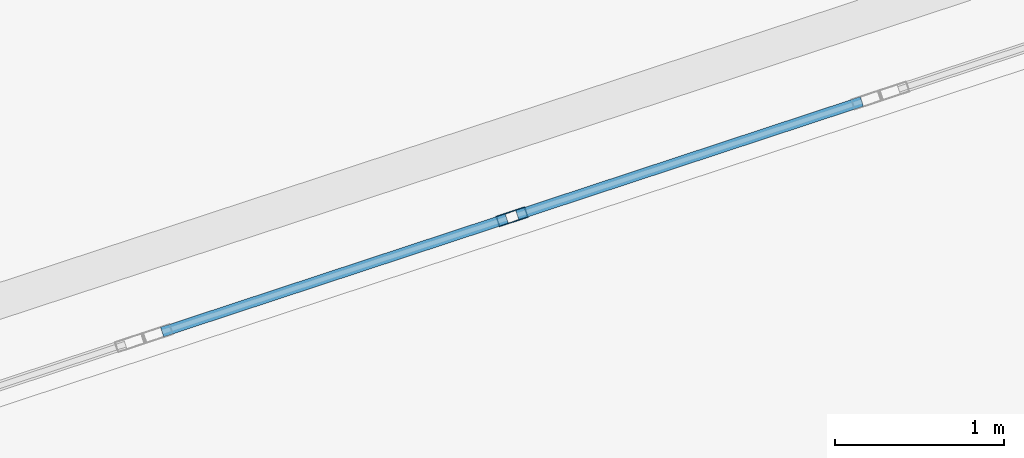
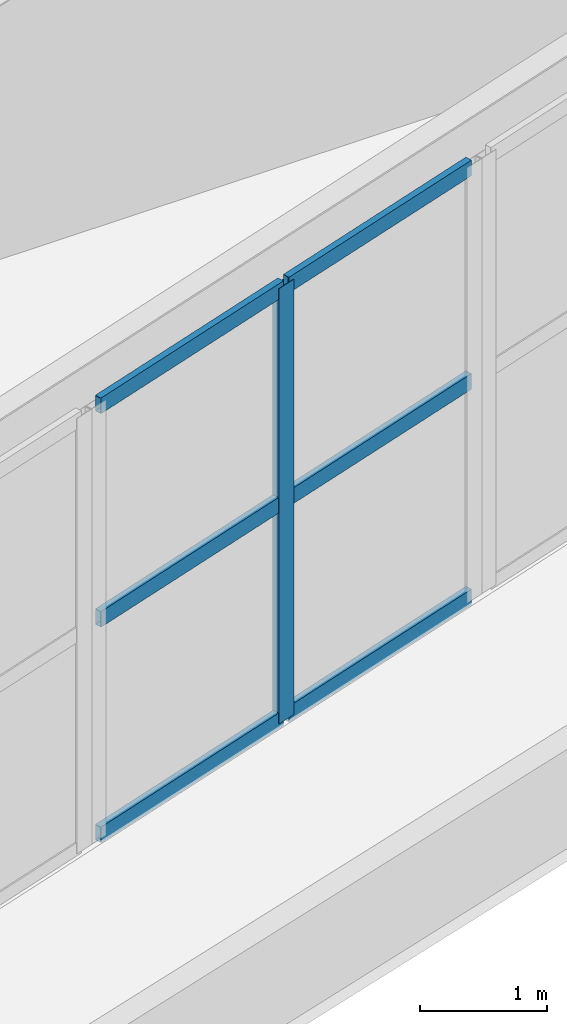
# One storey, part 42 of 126: 7 members, 1 element without a shape of its own.
"""IFC4 building model written with IfcOpenShell, lengths in metres."""

from ifc_helpers import new_model, si_unit, direction, frame, origin, origin_2d, place, context, subcontext, project, spatial, hollow_rectangle, extrude, material, layer, layer_set, material_profile, profile_set, type_object, element, aggregate, save


model = new_model("IFC4")

# Units and contexts
model_context = context("Model", 3, precision=1e-05, world=origin(), true_north=direction((0.0, 1.0)))
body_context = subcontext(model_context, "Body", "Model", "MODEL_VIEW")
ifc_project = project(units=[si_unit("LENGTHUNIT", "METRE"), si_unit("AREAUNIT", "SQUARE_METRE"), si_unit("VOLUMEUNIT", "CUBIC_METRE"), si_unit("PLANEANGLEUNIT", "RADIAN"), si_unit("MASSUNIT", "GRAM", prefix="KILO")], contexts=[model_context])

# Site, building, storey
site_placement = place(None, origin())
site = spatial("IfcSite", under=ifc_project, at=site_placement, CompositionType="ELEMENT")
building_placement = place(site_placement, origin())
building = spatial("IfcBuilding", under=site, at=building_placement, Name="Kalgoora Escarpment Arena", CompositionType="ELEMENT")
storey_placement = place(building_placement, frame((0.0, 0.0, 18.89990234375)))
storey = spatial("IfcBuildingStorey", under=building, at=storey_placement, Name="L04", CompositionType="ELEMENT", Elevation=18.89990234375)

# Curtain wall, members
ifc_material_1 = material(Name=" Champagne anodised aluminium & double-glazed low-E", Category="aluminium")
ifc_layer = layer(ifc_material_1, 0.166015625)
ifc_layer_set = layer_set([ifc_layer], Name="CW-UNIT-09")
curtain_wall_type = type_object("IfcCurtainWallType", Name="CW-UNIT-09", PredefinedType="NOTDEFINED", material=ifc_layer_set)
curtain_wall_placement = place(storey_placement, origin())
curtain_wall = element("IfcCurtainWall", 1, at=curtain_wall_placement, inside=storey, type_object=curtain_wall_type, Name="L04 unitised facade curtain wall 108", PredefinedType="NOTDEFINED")
ifc_material_2 = material(Name="Anodised aluminium 6063-T6", Category="aluminium")
ifc_material_profile_1 = material_profile(ifc_material_2, hollow_rectangle(XDim=0.06494140625, YDim=0.179931640625, WallThickness=0.00390625, at=origin_2d()))
ifc_profile_set_1 = profile_set([ifc_material_profile_1], Name="Anodised aluminium 6063-T6")
member_type_1 = type_object("IfcMemberType", Name="MEM-CW-MULL-180", PredefinedType="MULLION", material=ifc_profile_set_1)
member_1_placement = place(storey_placement, frame((117.64892578125, 10.634521484375, 0.02001953125), z_axis=(0.0, 0.0, 1.0), x_axis=(0.312969878028, -0.949763052265, 0.0)))
member_1 = element("IfcMember", 2, at=member_1_placement, type_object=member_type_1, Name="CW-09 mullion 2", PredefinedType="MULLION", context=body_context, shape_type="SweptSolid", body=[
    extrude(hollow_rectangle(XDim=0.06494140625, YDim=0.179931640625, WallThickness=0.00390625, at=origin_2d()), origin(), (0.0, 0.0, 1.0), 4.170166015625),
])
ifc_material_3 = material(Name="Anodised aluminium 6063-T6", Category="aluminium")
ifc_material_profile_2 = material_profile(ifc_material_3, hollow_rectangle(XDim=0.06005859375, YDim=0.14990234375, WallThickness=0.00341796875, at=origin_2d()))
ifc_profile_set_2 = profile_set([ifc_material_profile_2], Name="Anodised aluminium 6063-T6")
member_type_2 = type_object("IfcMemberType", Name="MEM-CW-TRAN-150", PredefinedType="USERDEFINED", material=ifc_profile_set_2)
member_2_placement = place(storey_placement, frame((119.722412109375, 11.31787109375, 0.050048828125), z_axis=(-0.949756275184, -0.312990443543, 0.0), x_axis=(0.312990443543, -0.949756275184, 0.0)))
member_2 = element("IfcMember", 3, at=member_2_placement, type_object=member_type_2, Name="CW-09 transom 1.1", ObjectType="TRANSOM", PredefinedType="USERDEFINED", context=body_context, shape_type="SweptSolid", body=[
    extrude(hollow_rectangle(XDim=0.06005859375, YDim=0.14990234375, WallThickness=0.00341796875, at=origin_2d()), origin(), (0.0, 0.0, 1.0), 2.150634765625),
])
member_3_placement = place(storey_placement, frame((119.722412109375, 11.31787109375, 2.114990234375), z_axis=(-0.949756275184, -0.312990443543, 0.0), x_axis=(0.312990443543, -0.949756275184, 0.0)))
member_3 = element("IfcMember", 4, at=member_3_placement, type_object=member_type_2, Name="CW-09 transom 1.2", ObjectType="TRANSOM", PredefinedType="USERDEFINED", context=body_context, shape_type="SweptSolid", body=[
    extrude(hollow_rectangle(XDim=0.06005859375, YDim=0.14990234375, WallThickness=0.00341796875, at=origin_2d()), origin(), (0.0, 0.0, 1.0), 2.150634765625),
])
member_4_placement = place(storey_placement, frame((119.722412109375, 11.31787109375, 4.16015625), z_axis=(-0.949756275184, -0.312990443543, 0.0), x_axis=(0.312990443543, -0.949756275184, 0.0)))
member_4 = element("IfcMember", 5, at=member_4_placement, type_object=member_type_2, Name="CW-09 transom 1.3", ObjectType="TRANSOM", PredefinedType="USERDEFINED", context=body_context, shape_type="SweptSolid", body=[
    extrude(hollow_rectangle(XDim=0.06005859375, YDim=0.14990234375, WallThickness=0.00341796875, at=origin_2d()), origin(), (0.0, 0.0, 1.0), 2.150634765625),
])
member_5_placement = place(storey_placement, frame((117.6181640625, 10.624267578125, 0.050048828125), z_axis=(-0.949767394709, -0.312956699798, 0.0), x_axis=(0.312956699798, -0.949767394709, 0.0)))
member_5 = element("IfcMember", 6, at=member_5_placement, type_object=member_type_2, Name="CW-09 transom 2.1", ObjectType="TRANSOM", PredefinedType="USERDEFINED", context=body_context, shape_type="SweptSolid", body=[
    extrude(hollow_rectangle(XDim=0.06005859375, YDim=0.14990234375, WallThickness=0.00341796875, at=origin_2d()), origin(), (0.0, 0.0, 1.0), 2.15087890625),
])
member_6_placement = place(storey_placement, frame((117.6181640625, 10.624267578125, 2.114990234375), z_axis=(-0.949767394709, -0.312956699798, 0.0), x_axis=(0.312956699798, -0.949767394709, 0.0)))
member_6 = element("IfcMember", 7, at=member_6_placement, type_object=member_type_2, Name="CW-09 transom 2.2", ObjectType="TRANSOM", PredefinedType="USERDEFINED", context=body_context, shape_type="SweptSolid", body=[
    extrude(hollow_rectangle(XDim=0.06005859375, YDim=0.14990234375, WallThickness=0.00341796875, at=origin_2d()), origin(), (0.0, 0.0, 1.0), 2.15087890625),
])
member_7_placement = place(storey_placement, frame((117.6181640625, 10.624267578125, 4.16015625), z_axis=(-0.949767394709, -0.312956699798, 0.0), x_axis=(0.312956699798, -0.949767394709, 0.0)))
member_7 = element("IfcMember", 8, at=member_7_placement, type_object=member_type_2, Name="CW-09 transom 2.3", ObjectType="TRANSOM", PredefinedType="USERDEFINED", context=body_context, shape_type="SweptSolid", body=[
    extrude(hollow_rectangle(XDim=0.06005859375, YDim=0.14990234375, WallThickness=0.00341796875, at=origin_2d()), origin(), (0.0, 0.0, 1.0), 2.15087890625),
])
aggregate(curtain_wall, [member_1, member_2, member_3, member_4, member_5, member_6, member_7])

save(model, "model.ifc")
